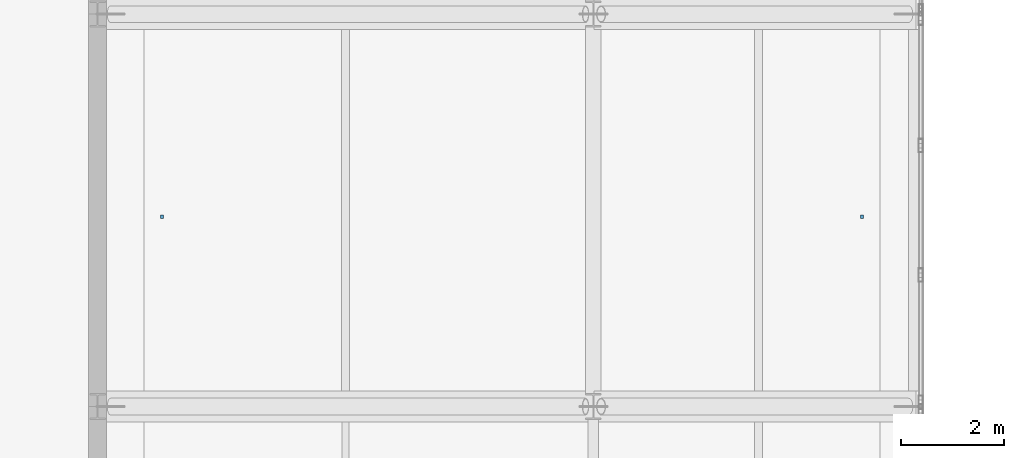
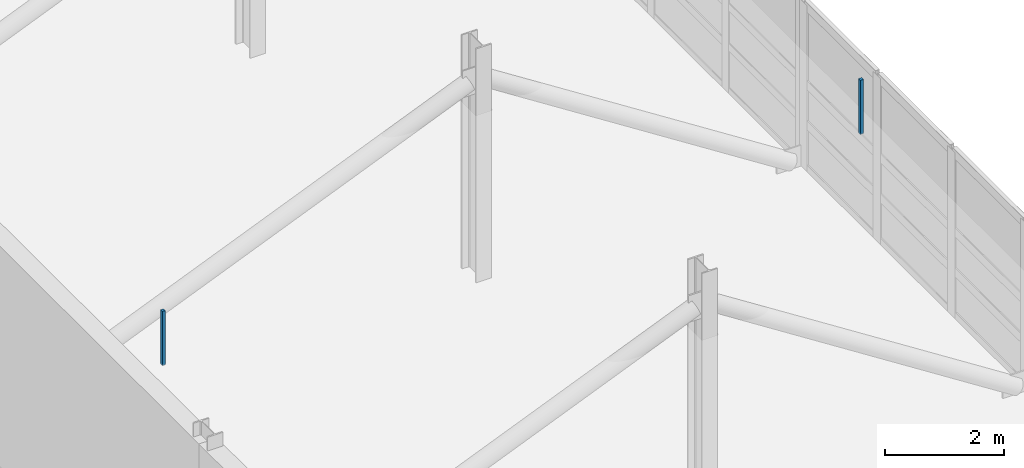
# One storey, part 100 of 141: 2 discrete accessories.
"""IFC4 building model written with IfcOpenShell, lengths in metres."""

import ifcopenshell
import ifcopenshell.guid

model = None  # the IFC model being written
_history = None  # IfcOwnerHistory: only IFC2X3 demands one
_inside = {}  # id of a spatial element -> (the spatial element, [elements in it])
_under = {}  # id of a project, library or spatial element -> (it, [spatial elements below it])
_declared = {}  # id of a project -> (the project, [libraries it declares])
_typed = {}  # id of a type object -> (the type object, [elements of that type])
_made_of = {}  # id of a material, layer set ... -> (it, [elements and type objects made of it])


def new_model(schema):
    """Start an empty IFC model of exactly this schema.

    Asked for "IFC4X3", IfcOpenShell would pick the latest addendum, in which some entities
    have other attributes; the version numbers below select the first issue.
    IFC2X3 requires an IfcOwnerHistory on every rooted entity: one is made here for all.
    """
    global model, _history
    if schema == "IFC4X3":
        model = ifcopenshell.file(schema_version=(4, 3, 0, 0))
    else:
        model = ifcopenshell.file(schema=schema)
    _inside.clear()
    _under.clear()
    _declared.clear()
    _typed.clear()
    _made_of.clear()
    _history = None
    if model.schema == "IFC2X3":
        org = make("IfcOrganization", Name="unknown")
        user = make(
            "IfcPersonAndOrganization",
            ThePerson=make("IfcPerson", FamilyName="unknown"),
            TheOrganization=org,
        )
        app = make(
            "IfcApplication",
            ApplicationDeveloper=org,
            Version="unknown",
            ApplicationFullName="unknown",
            ApplicationIdentifier="unknown",
        )
        _history = make(
            "IfcOwnerHistory",
            OwningUser=user,
            OwningApplication=app,
            ChangeAction="ADDED",
            CreationDate=0,
        )
    return model


def make(cls, **values):
    """One entity of the class cls with the attributes given. An attribute that is None is left unset."""
    return model.create_entity(
        cls, **{name: value for name, value in values.items() if value is not None}
    )


def rooted(cls, **values):
    """An entity with a GlobalId (a new one), such as an element, a storey or a relation."""
    return make(cls, GlobalId=ifcopenshell.guid.new(), OwnerHistory=_history, **values)


def si_unit(unit_type, name, prefix=None):
    """IfcSIUnit, for example si_unit("LENGTHUNIT", "METRE", prefix="MILLI")."""
    return make("IfcSIUnit", UnitType=unit_type, Prefix=prefix, Name=name)


def assignment(units):
    """IfcUnitAssignment: the units of a project."""
    return None if units is None else make("IfcUnitAssignment", Units=units)


def point(xyz):
    """IfcCartesianPoint."""
    return None if xyz is None else make("IfcCartesianPoint", Coordinates=xyz)


def direction(xyz):
    """IfcDirection."""
    return None if xyz is None else make("IfcDirection", DirectionRatios=xyz)


def frame(location, z_axis=None, x_axis=None):
    """IfcAxis2Placement3D, a coordinate frame: its origin and axes. An axis left out is left unset."""
    return make(
        "IfcAxis2Placement3D",
        Location=point(location),
        Axis=direction(z_axis),
        RefDirection=direction(x_axis),
    )


def frame_2d(location, x_axis=None):
    """IfcAxis2Placement2D, a coordinate frame in the plane: its origin and x axis."""
    return make(
        "IfcAxis2Placement2D", Location=point(location), RefDirection=direction(x_axis)
    )


def origin():
    """The frame at (0, 0, 0) with its axes left unset."""
    return frame((0.0, 0.0, 0.0))


def origin_2d():
    """The frame at (0, 0) in the plane with its x axis left unset."""
    return frame_2d((0.0, 0.0))


def place(relative_to, where):
    """IfcLocalPlacement: puts the frame where relative to a parent placement (None: the world)."""
    return make(
        "IfcLocalPlacement", PlacementRelTo=relative_to, RelativePlacement=where
    )


def context(
    kind, dimensions, precision=None, world=None, true_north=None, identifier=None
):
    """IfcGeometricRepresentationContext, for example the 3D "Model" context."""
    return make(
        "IfcGeometricRepresentationContext",
        ContextIdentifier=identifier,
        ContextType=kind,
        CoordinateSpaceDimension=dimensions,
        Precision=precision,
        WorldCoordinateSystem=world,
        TrueNorth=true_north,
    )


def subcontext(parent, identifier, kind, view, scale=None):
    """IfcGeometricRepresentationSubContext, for example "Body" below "Model"."""
    return make(
        "IfcGeometricRepresentationSubContext",
        ContextIdentifier=identifier,
        ContextType=kind,
        ParentContext=parent,
        TargetScale=scale,
        TargetView=view,
    )


def project(units=None, contexts=None):
    """IfcProject with its units and contexts."""
    return rooted(
        "IfcProject",
        Name="project",
        RepresentationContexts=contexts,
        UnitsInContext=assignment(units),
    )


def spatial(cls, under=None, at=None, **own):
    """A site, building, storey or space (cls), placed at a placement, below another one or the project."""
    s = rooted(cls, ObjectPlacement=at, **own)
    if under is not None:
        _under.setdefault(under.id(), (under, []))[1].append(s)
    return s


def profile(cls, at=None, kind="AREA", **sizes):
    """A parametric profile (cls). Its sizes go by their IFC names, for example OverallWidth=200.0."""
    return make(cls, ProfileType=kind, Position=at, **sizes)


def rectangle(**sizes):
    """IfcRectangleProfileDef."""
    return profile("IfcRectangleProfileDef", **sizes)


def extrude(swept, where, along, depth):
    """IfcExtrudedAreaSolid: the profile swept, set in the frame where, extruded along a direction by depth."""
    return make(
        "IfcExtrudedAreaSolid",
        SweptArea=swept,
        Position=where,
        ExtrudedDirection=direction(along),
        Depth=depth,
    )


def shape(context_of_items, identifier, shape_type, items):
    """IfcShapeRepresentation: the items that make up one representation, for example the "Body"."""
    return make(
        "IfcShapeRepresentation",
        ContextOfItems=context_of_items,
        RepresentationIdentifier=identifier,
        RepresentationType=shape_type,
        Items=items,
    )


def material(Name=None, Category=None):
    """IfcMaterial."""
    return make("IfcMaterial", Name=Name, Category=Category)


def made_of(thing, what):
    """Note that an element or type object is made of a material, layer set ...; save() writes the relation."""
    if what is not None:
        _made_of.setdefault(what.id(), (what, []))[1].append(thing)
    return thing


def type_object(cls, material=None, **own):
    """A type object (cls), such as IfcWallType, which elements share."""
    return made_of(rooted(cls, **own), material)


def element(
    cls,
    number,
    at=None,
    inside=None,
    cuts=None,
    type_object=None,
    material=None,
    context=None,
    identifier="Body",
    shape_type=None,
    held_by="IfcProductDefinitionShape",
    body=None,
    shapes=None,
    **own,
):
    """One element of the class cls, such as IfcWall. Its Tag is "e" and its number.

    at: its placement. inside: the storey or other place that contains it. cuts: it is an
    opening in that element (IfcRelVoidsElement). A single representation is given by context,
    identifier, shape_type and body (its items); several are given by shapes. held_by: the class
    of the entity that holds the representations. save() writes the other relations.
    """
    e = rooted(cls, Tag="e%d" % number, ObjectPlacement=at, **own)
    if body is not None:
        shapes = [shape(context, identifier, shape_type, body)]
    if shapes is not None:
        e.Representation = make(held_by, Representations=shapes)
    if inside is not None:
        _inside.setdefault(inside.id(), (inside, []))[1].append(e)
    if cuts is not None:
        rooted(
            "IfcRelVoidsElement", RelatingBuildingElement=cuts, RelatedOpeningElement=e
        )
    if type_object is not None:
        _typed.setdefault(type_object.id(), (type_object, []))[1].append(e)
    return made_of(e, material)


def aggregate(whole, parts):
    """IfcRelAggregates: a whole, such as a stair, and the parts it consists of."""
    return rooted("IfcRelAggregates", RelatingObject=whole, RelatedObjects=parts)


def save(model, path):
    """Write the relations noted so far, then the file.

    IfcRelAggregates (storeys below a building ...), IfcRelContainedInSpatialStructure (elements
    in a storey), IfcRelDefinesByType, IfcRelAssociatesMaterial and IfcRelDeclares: one each for
    every whole, place, type object, material and project.
    """
    for whole, parts in _under.values():
        aggregate(whole, parts)
    for where, things in _inside.values():
        rooted(
            "IfcRelContainedInSpatialStructure",
            RelatedElements=things,
            RelatingStructure=where,
        )
    for kind, things in _typed.values():
        rooted("IfcRelDefinesByType", RelatedObjects=things, RelatingType=kind)
    for what, things in _made_of.values():
        rooted("IfcRelAssociatesMaterial", RelatedObjects=things, RelatingMaterial=what)
    for by, libraries in _declared.values():
        rooted("IfcRelDeclares", RelatingContext=by, RelatedDefinitions=libraries)
    model.write(path)


model = new_model("IFC4")

# Units and contexts
model_context = context("Model", 3, precision=1e-05, world=origin(), true_north=direction((0.0, 1.0)))
body_context = subcontext(model_context, "Body", "Model", "MODEL_VIEW")
ifc_project = project(units=[si_unit("LENGTHUNIT", "METRE"), si_unit("AREAUNIT", "SQUARE_METRE"), si_unit("VOLUMEUNIT", "CUBIC_METRE"), si_unit("PLANEANGLEUNIT", "RADIAN"), si_unit("MASSUNIT", "GRAM", prefix="KILO")], contexts=[model_context])

# Site, building, storey
site_placement = place(None, origin())
site = spatial("IfcSite", under=ifc_project, at=site_placement, CompositionType="ELEMENT")
building_placement = place(site_placement, origin())
building = spatial("IfcBuilding", under=site, at=building_placement, Name="Khelvaren Railside Concert Hall", CompositionType="ELEMENT")
storey_placement = place(building_placement, frame((0.0, 0.0, 10.199951171875)))
storey = spatial("IfcBuildingStorey", under=building, at=storey_placement, Name="L02", CompositionType="ELEMENT", Elevation=10.199951171875)

# Discrete accessories
ifc_material = material(Name="Galvanised steel acoustic ceiling hanger rod", Category="steel")
discrete_accessory_type = type_object("IfcDiscreteAccessoryType", Name="BRK62", PredefinedType="BRACKET", material=ifc_material)
for number, where, z_axis, x_axis, name in (
    (1, (41.25, 26.47509765625, 3.43017578125), (0.0, 0.0, 1.0), (1.0, 0.0, 0.0), "Acoustic Ceiling Suspension Bracket 20-1"),
    (2, (54.800048828125, 26.47509765625, 3.43017578125), (0.0, 0.0, 1.0), (1.0, 0.0, 0.0), "Acoustic Ceiling Suspension Bracket 20-2"),
):
    element("IfcDiscreteAccessory", number, at=place(storey_placement, frame(where, z_axis=z_axis, x_axis=x_axis)), inside=storey, type_object=discrete_accessory_type, Name=name, PredefinedType="BRACKET", context=body_context, shape_type="SweptSolid", body=[
        extrude(rectangle(XDim=0.06005859375, YDim=0.06005859375, at=origin_2d()), origin(), (0.0, 0.0, 1.0), 1.110107421875),
    ])

save(model, "model.ifc")
